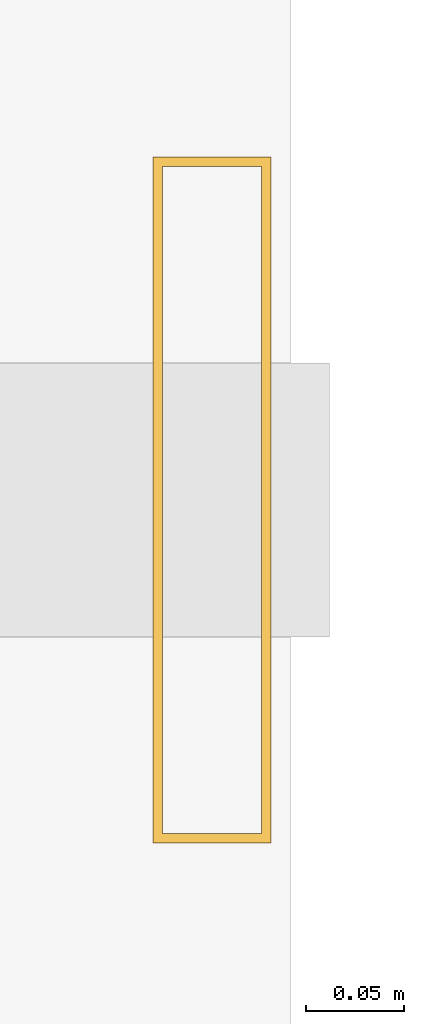
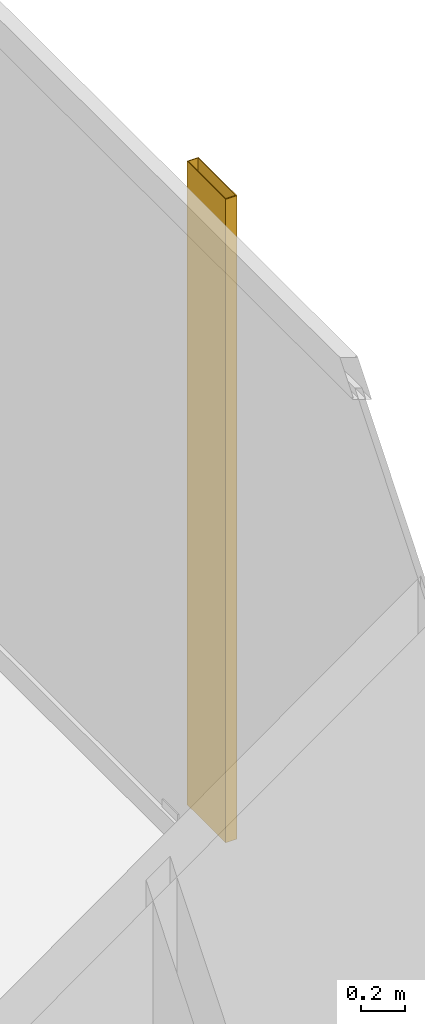
# One storey, part 27 of 27: 1 shading device.
"""IFC4 building model written with IfcOpenShell, lengths in metres."""

from ifc_helpers import new_model, si_unit, direction, frame, origin, origin_2d, place, context, subcontext, project, spatial, hollow_rectangle, extrude, material, material_profile, profile_set, type_object, element, save


model = new_model("IFC4")

# Units and contexts
model_context = context("Model", 3, precision=1e-05, world=origin(), true_north=direction((0.0, 1.0)))
body_context = subcontext(model_context, "Body", "Model", "MODEL_VIEW")
ifc_project = project(units=[si_unit("LENGTHUNIT", "METRE"), si_unit("AREAUNIT", "SQUARE_METRE"), si_unit("VOLUMEUNIT", "CUBIC_METRE"), si_unit("PLANEANGLEUNIT", "RADIAN"), si_unit("MASSUNIT", "GRAM", prefix="KILO")], contexts=[model_context])

# Site, building, storey
site_placement = place(None, origin())
site = spatial("IfcSite", under=ifc_project, at=site_placement, CompositionType="ELEMENT")
building_placement = place(site_placement, origin())
building = spatial("IfcBuilding", under=site, at=building_placement, Name="Kolvaren Waterfront Exchange", CompositionType="ELEMENT")
storey_placement = place(building_placement, frame((0.0, 0.0, 176.60009765625)))
storey = spatial("IfcBuildingStorey", under=building, at=storey_placement, Name="L45", CompositionType="ELEMENT", Elevation=176.60009765625)

# Shading device
ifc_material = material(Name="Anodised bronze aluminium 6063-T6", Category="aluminium")
ifc_material_profile = material_profile(ifc_material, hollow_rectangle(XDim=0.06005859375, YDim=0.35009765625, WallThickness=0.0048828125, at=origin_2d()), Name="BRZ-FIN-350x60x5")
ifc_profile_set = profile_set([ifc_material_profile], Name="Anodised bronze aluminium 6063-T6")
shading_device_type = type_object("IfcShadingDeviceType", Name="ARC-FIN-350", PredefinedType="USERDEFINED", material=ifc_profile_set)
shading_device_placement = place(storey_placement, frame((22.56005859375, 38.0, 0.0), z_axis=(0.0, 0.0, 1.0), x_axis=(1.0, 0.0, 0.0)))
element("IfcShadingDevice", 1, at=shading_device_placement, inside=storey, type_object=shading_device_type, Name="L45 anodised bronze solar shading fin FIN-L45-E3", ObjectType="SOLAR FIN", PredefinedType="USERDEFINED", context=body_context, shape_type="SweptSolid", body=[
    extrude(hollow_rectangle(XDim=0.06005859375, YDim=0.35009765625, WallThickness=0.0048828125, at=origin_2d()), origin(), (0.0, 0.0, 1.0), 3.559814453125),
])

save(model, "model.ifc")
